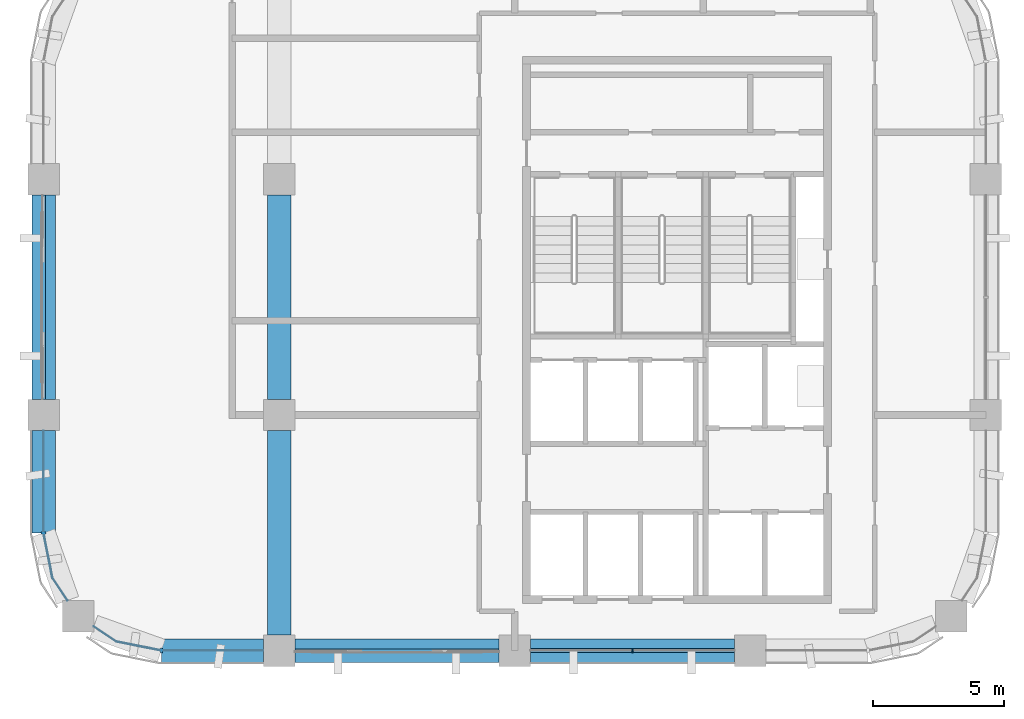
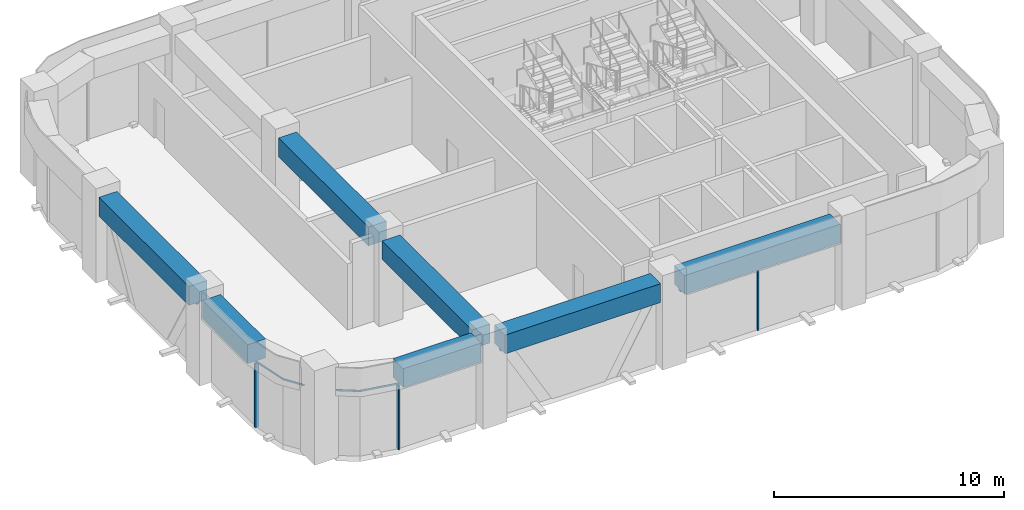
# One storey, part 2 of 11: 8 members, 7 beams, 5 elements without a shape of their own.
"""IFC4 building model written with IfcOpenShell, lengths in metres."""

from ifc_helpers import new_model, si_unit, direction, frame, origin, origin_2d, place, context, subcontext, project, spatial, polyline, rectangle, outline, extrude, material, material_profile, profile_set, type_object, element, aggregate, save


model = new_model("IFC4")

# Units and contexts
model_context = context("Model", 3, precision=1e-05, world=origin(), true_north=direction((0.0, 1.0)))
body_context = subcontext(model_context, "Body", "Model", "MODEL_VIEW")
ifc_project = project(units=[si_unit("LENGTHUNIT", "METRE"), si_unit("AREAUNIT", "SQUARE_METRE"), si_unit("VOLUMEUNIT", "CUBIC_METRE"), si_unit("PLANEANGLEUNIT", "RADIAN"), si_unit("MASSUNIT", "GRAM", prefix="KILO")], contexts=[model_context])

# Site, building, storey
site_placement = place(None, origin())
site = spatial("IfcSite", under=ifc_project, at=site_placement, CompositionType="ELEMENT")
building_placement = place(site_placement, origin())
building = spatial("IfcBuilding", under=site, at=building_placement, Name="Tessera Arch", CompositionType="ELEMENT")
storey_placement = place(building_placement, frame((0.0, 0.0, 290.199951171875)))
storey = spatial("IfcBuildingStorey", under=building, at=storey_placement, Name="L70", CompositionType="ELEMENT", Elevation=290.199951171875)

# Curtain wall, members
ifc_material_1 = material(Name="CW1 curtain wall")
curtain_wall_type_1 = type_object("IfcCurtainWallType", Name="CW1 curtain wall", PredefinedType="NOTDEFINED", material=ifc_material_1)
curtain_wall_1_placement = place(storey_placement, origin())
curtain_wall_1 = element("IfcCurtainWall", 1, at=curtain_wall_1_placement, inside=storey, type_object=curtain_wall_type_1, Name="CW1 curtain wall S27.18/2 L70", PredefinedType="NOTDEFINED")
ifc_material_2 = material(Name="Anodised aluminium pale metal", Category="aluminium")
ifc_material_profile_1 = material_profile(ifc_material_2, rectangle(XDim=0.159912109375, YDim=0.06005859375, at=origin_2d()), Name="AL 60x160")
ifc_profile_set_1 = profile_set([ifc_material_profile_1], Name="Anodised aluminium pale metal")
member_type_1 = type_object("IfcMemberType", Name="CW1 mullion", PredefinedType="MULLION", material=ifc_profile_set_1)
member_1_placement = place(storey_placement, frame((40.5, 27.0, 0.0), z_axis=(0.0, 0.0, 1.0), x_axis=(0.0, 1.0, 0.0)))
member_1 = element("IfcMember", 2, at=member_1_placement, type_object=member_type_1, Name="CW1 mullion S27.18/2 1", PredefinedType="MULLION", context=body_context, shape_type="SweptSolid", body=[
    extrude(rectangle(XDim=0.159912109375, YDim=0.06005859375, at=origin_2d()), origin(), (0.0, 0.0, 1.0), 3.400146484375),
])
ifc_material_3 = material(Name="Anodised aluminium pale metal", Category="aluminium")
ifc_material_profile_2 = material_profile(ifc_material_3, rectangle(XDim=0.159912109375, YDim=0.10009765625, at=origin_2d()), Name="AL 160x100")
ifc_profile_set_2 = profile_set([ifc_material_profile_2], Name="Anodised aluminium pale metal")
member_type_2 = type_object("IfcMemberType", Name="CW1 transom", PredefinedType="USERDEFINED", material=ifc_profile_set_2)
member_2_placement = place(storey_placement, frame((36.60009765625, 27.0, 3.449951171875), z_axis=(1.0, 0.0, 0.0), x_axis=(0.0, 1.0, 0.0)))
member_2 = element("IfcMember", 3, at=member_2_placement, type_object=member_type_2, Name="CW1 transom S27.18/2 1.1", ObjectType="TRANSOM", PredefinedType="USERDEFINED", context=body_context, shape_type="SweptSolid", body=[
    extrude(rectangle(XDim=0.159912109375, YDim=0.10009765625, at=origin_2d()), origin(), (0.0, 0.0, 1.0), 7.7998046875),
])
aggregate(curtain_wall_1, [member_1, member_2])

# Curtain wall, member
ifc_material_4 = material(Name="CW2 curtain wall")
curtain_wall_type_2 = type_object("IfcCurtainWallType", Name="CW2 curtain wall", PredefinedType="NOTDEFINED", material=ifc_material_4)
curtain_wall_2_placement = place(storey_placement, origin())
curtain_wall_2 = element("IfcCurtainWall", 4, at=curtain_wall_2_placement, inside=storey, type_object=curtain_wall_type_2, Name="CW2 curtain wall W18.27/2 L70", PredefinedType="NOTDEFINED")
ifc_material_5 = material(Name="Anodised aluminium pale metal", Category="aluminium")
ifc_material_profile_3 = material_profile(ifc_material_5, rectangle(XDim=0.199951171875, YDim=0.080078125, at=origin_2d()), Name="AL 80x200")
ifc_profile_set_3 = profile_set([ifc_material_profile_3], Name="Anodised aluminium pale metal")
member_type_3 = type_object("IfcMemberType", Name="CW2 mullion", PredefinedType="MULLION", material=ifc_profile_set_3)
member_3_placement = place(storey_placement, frame((18.0, 31.5, 0.0), z_axis=(0.0, 0.0, 1.0), x_axis=(1.0, 0.0, 0.0)))
member_3 = element("IfcMember", 5, at=member_3_placement, type_object=member_type_3, Name="CW2 mullion W18.27/2 1", PredefinedType="MULLION", context=body_context, shape_type="SweptSolid", body=[
    extrude(rectangle(XDim=0.199951171875, YDim=0.080078125, at=origin_2d()), origin(), (0.0, 0.0, 1.0), 3.400146484375),
])

curtain_wall_3_placement = place(storey_placement, origin())
curtain_wall_3 = element("IfcCurtainWall", 6, at=curtain_wall_3_placement, inside=storey, type_object=curtain_wall_type_2, Name="CW2 curtain wall S27.18/0 L70", PredefinedType="NOTDEFINED")
member_4_placement = place(storey_placement, frame((22.5, 27.0, 0.0), z_axis=(0.0, 0.0, 1.0), x_axis=(0.0, 1.0, 0.0)))
member_4 = element("IfcMember", 7, at=member_4_placement, type_object=member_type_3, Name="CW2 mullion S27.18/0 1", PredefinedType="MULLION", context=body_context, shape_type="SweptSolid", body=[
    extrude(rectangle(XDim=0.199951171875, YDim=0.080078125, at=origin_2d()), origin(), (0.0, 0.0, 1.0), 3.400146484375),
])

# Member
ifc_material_6 = material(Name="Anodised aluminium pale metal", Category="aluminium")
ifc_material_profile_4 = material_profile(ifc_material_6, rectangle(XDim=0.199951171875, YDim=0.10009765625, at=origin_2d()), Name="AL 200x100")
ifc_profile_set_4 = profile_set([ifc_material_profile_4], Name="Anodised aluminium pale metal")
member_type_4 = type_object("IfcMemberType", Name="CW2 transom", PredefinedType="USERDEFINED", material=ifc_profile_set_4)
member_5_placement = place(storey_placement, frame((0.0, 0.0, 3.400146484375)))
member_5 = element("IfcMember", 8, at=member_5_placement, type_object=member_type_4, Name="CW2 transom W18.27/2 1", ObjectType="TRANSOM", PredefinedType="USERDEFINED", context=body_context, shape_type="SweptSolid", body=[
    extrude(outline(polyline([(18.010009765625, 31.5009765625), (18.010009765625, 35.39990234375), (17.989990234375, 35.39990234375), (17.989990234375, 31.4990234375), (18.3330078125, 29.77392578125), (18.90869140625, 28.912353515625), (18.92529296875, 28.923583984375), (18.351806640625, 29.78173828125), (18.010009765625, 31.5009765625)])), origin(), (0.0, 0.0, 1.0), 0.099853515625),
])

aggregate(curtain_wall_2, [member_3, member_5])

member_6_placement = place(storey_placement, frame((0.0, 0.0, 3.400146484375)))
member_6 = element("IfcMember", 9, at=member_6_placement, type_object=member_type_4, Name="CW2 transom S27.18/0 1", ObjectType="TRANSOM", PredefinedType="USERDEFINED", context=body_context, shape_type="SweptSolid", body=[
    extrude(outline(polyline([(20.78173828125, 27.351806640625), (19.923583984375, 27.92529296875), (19.912353515625, 27.90869140625), (20.77392578125, 27.3330078125), (22.4990234375, 26.989990234375), (26.39990234375, 26.989990234375), (26.39990234375, 27.010009765625), (22.5009765625, 27.010009765625), (20.78173828125, 27.351806640625)])), origin(), (0.0, 0.0, 1.0), 0.099853515625),
])

aggregate(curtain_wall_3, [member_4, member_6])

# Curtain wall, member
ifc_material_7 = material(Name="CW3 curtain wall")
curtain_wall_type_3 = type_object("IfcCurtainWallType", Name="CW3 curtain wall", PredefinedType="NOTDEFINED", material=ifc_material_7)
curtain_wall_4_placement = place(storey_placement, origin())
curtain_wall_4 = element("IfcCurtainWall", 10, at=curtain_wall_4_placement, inside=storey, type_object=curtain_wall_type_3, Name="CW3 curtain wall W18.27/1 L70", PredefinedType="NOTDEFINED")
ifc_material_8 = material(Name="Anodised aluminium pale metal", Category="aluminium")
ifc_material_profile_5 = material_profile(ifc_material_8, rectangle(XDim=0.139892578125, YDim=0.10009765625, at=origin_2d()), Name="AL 140x100")
ifc_profile_set_5 = profile_set([ifc_material_profile_5], Name="Anodised aluminium pale metal")
member_type_5 = type_object("IfcMemberType", Name="CW3 transom", PredefinedType="USERDEFINED", material=ifc_profile_set_5)
member_7_placement = place(storey_placement, frame((18.0, 44.39990234375, 3.449951171875), z_axis=(0.0, -1.0, 0.0), x_axis=(1.0, 0.0, 0.0)))
member_7 = element("IfcMember", 11, at=member_7_placement, type_object=member_type_5, Name="CW3 transom W18.27/1 1.1", ObjectType="TRANSOM", PredefinedType="USERDEFINED", context=body_context, shape_type="SweptSolid", body=[
    extrude(rectangle(XDim=0.139892578125, YDim=0.10009765625, at=origin_2d()), origin(), (0.0, 0.0, 1.0), 7.7998046875),
])
aggregate(curtain_wall_4, [member_7])

curtain_wall_5_placement = place(storey_placement, origin())
curtain_wall_5 = element("IfcCurtainWall", 12, at=curtain_wall_5_placement, inside=storey, type_object=curtain_wall_type_3, Name="CW3 curtain wall S27.18/1 L70", PredefinedType="NOTDEFINED")
member_8_placement = place(storey_placement, frame((27.60009765625, 27.0, 3.449951171875), z_axis=(1.0, 0.0, 0.0), x_axis=(0.0, 1.0, 0.0)))
member_8 = element("IfcMember", 13, at=member_8_placement, type_object=member_type_5, Name="CW3 transom S27.18/1 1.1", ObjectType="TRANSOM", PredefinedType="USERDEFINED", context=body_context, shape_type="SweptSolid", body=[
    extrude(rectangle(XDim=0.139892578125, YDim=0.10009765625, at=origin_2d()), origin(), (0.0, 0.0, 1.0), 7.7998046875),
])
aggregate(curtain_wall_5, [member_8])

# Beams
ifc_material_9 = material(Name="Concrete C60/75", Category="concrete")
ifc_material_profile_6 = material_profile(ifc_material_9, rectangle(XDim=0.89990234375, YDim=1.0, at=origin_2d()), Name="RC spandrel beam 900 x 1000 Concrete C60/75")
ifc_profile_set_6 = profile_set([ifc_material_profile_6], Name="Concrete C60/75")
beam_type = type_object("IfcBeamType", Name="RC spandrel beam 900 x 1000 Concrete C60/75", PredefinedType="BEAM", material=ifc_profile_set_6)
beam_placement = place(storey_placement, frame((18.0, 44.39990234375, 4.0), z_axis=(0.0, -1.0, 0.0), x_axis=(1.0, 0.0, 0.0)))
element("IfcBeam", 14, at=beam_placement, inside=storey, type_object=beam_type, Name="Spandrel beam L70 W18.27/1", PredefinedType="BEAM", context=body_context, shape_type="SweptSolid", body=[
    extrude(rectangle(XDim=0.89990234375, YDim=1.0, at=origin_2d()), origin(), (0.0, 0.0, 1.0), 7.7998046875),
])
for number, where, z_axis, x_axis, name in (
    (15, (18.0, 35.39990234375, 4.0), (0.0, -1.0, 0.0), (1.0, 0.0, 0.0), "Spandrel beam L70 W18.27/2.1"),
    (16, (22.5, 27.0, 4.0), (1.0, 0.0, 0.0), (0.0, 1.0, 0.0), "Spandrel beam L70 S27.18/0.2"),
):
    element("IfcBeam", number, at=place(storey_placement, frame(where, z_axis=z_axis, x_axis=x_axis)), inside=storey, type_object=beam_type, Name=name, PredefinedType="BEAM", context=body_context, shape_type="SweptSolid", body=[
        extrude(rectangle(XDim=0.89990234375, YDim=1.0, at=origin_2d()), origin(), (0.0, 0.0, 1.0), 3.89990234375),
    ])
for number, where, z_axis, x_axis, name in (
    (17, (27.60009765625, 27.0, 4.0), (1.0, 0.0, 0.0), (0.0, 1.0, 0.0), "Spandrel beam L70 S27.18/1"),
    (18, (36.60009765625, 27.0, 4.0), (1.0, 0.0, 0.0), (0.0, 1.0, 0.0), "Spandrel beam L70 S27.18/2"),
    (19, (27.0, 27.60009765625, 4.0), (0.0, 1.0, 0.0), (-1.0, 0.0, 0.0), "Interface beam L70 I0C4D-C4E"),
    (20, (27.0, 36.60009765625, 4.0), (0.0, 1.0, 0.0), (-1.0, 0.0, 0.0), "Interface beam L70 I0C4E-C4F"),
):
    element("IfcBeam", number, at=place(storey_placement, frame(where, z_axis=z_axis, x_axis=x_axis)), inside=storey, type_object=beam_type, Name=name, PredefinedType="BEAM", context=body_context, shape_type="SweptSolid", body=[
        extrude(rectangle(XDim=0.89990234375, YDim=1.0, at=origin_2d()), origin(), (0.0, 0.0, 1.0), 7.7998046875),
    ])

save(model, "model.ifc")
